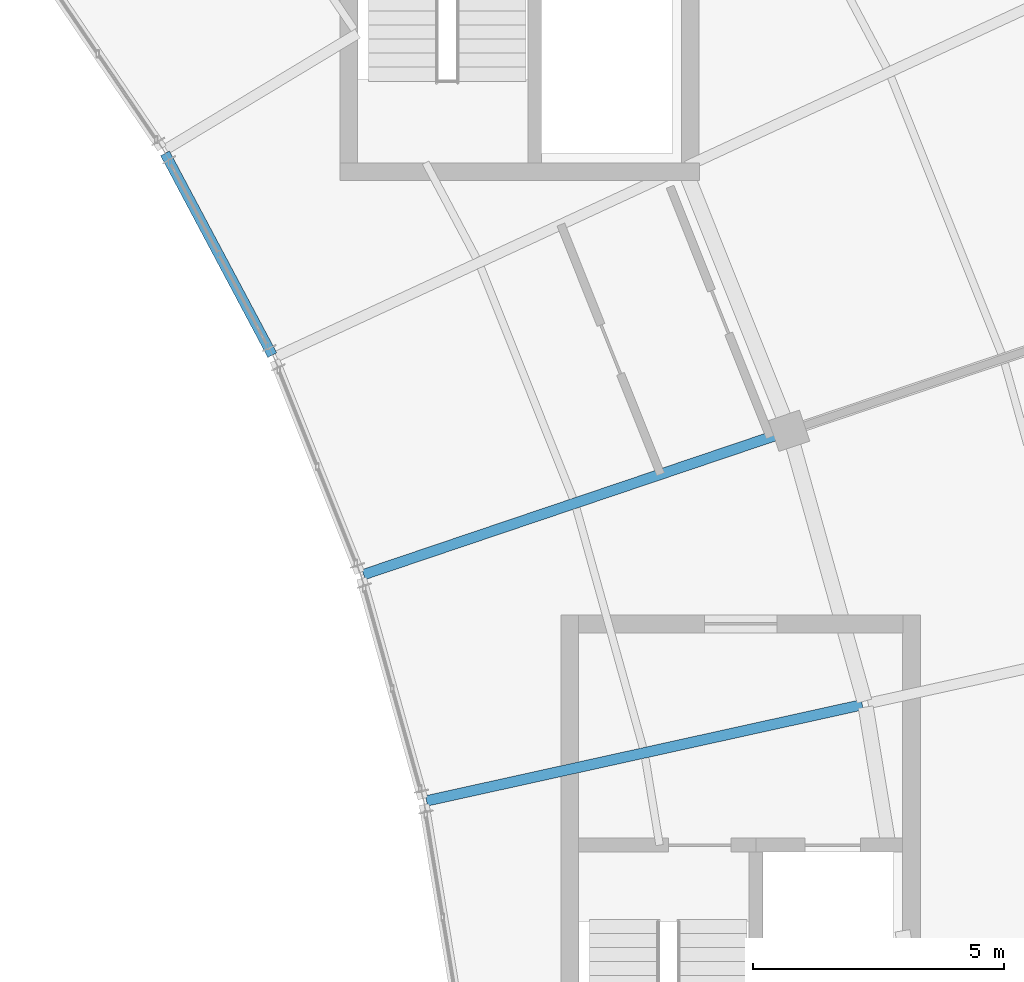
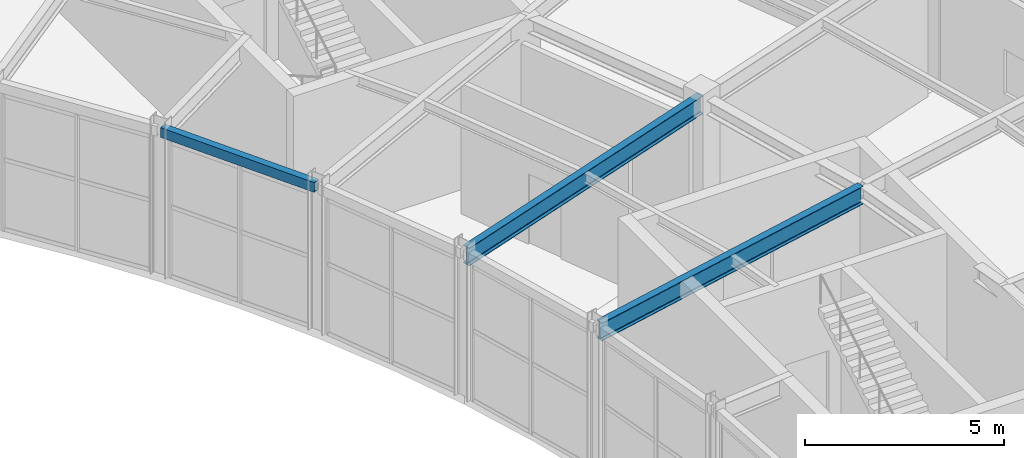
# One storey, part 71 of 108: 3 beams.
"""IFC4 building model written with IfcOpenShell, lengths in metres."""

from ifc_helpers import new_model, si_unit, direction, frame, origin, origin_2d, place, context, subcontext, project, spatial, hollow_rectangle, i_section, extrude, material, material_profile, profile_set, type_object, element, save


model = new_model("IFC4")

# Units and contexts
model_context = context("Model", 3, precision=1e-05, world=origin(), true_north=direction((0.0, 1.0)))
body_context = subcontext(model_context, "Body", "Model", "MODEL_VIEW")
ifc_project = project(units=[si_unit("LENGTHUNIT", "METRE"), si_unit("AREAUNIT", "SQUARE_METRE"), si_unit("VOLUMEUNIT", "CUBIC_METRE"), si_unit("PLANEANGLEUNIT", "RADIAN"), si_unit("MASSUNIT", "GRAM", prefix="KILO")], contexts=[model_context])

# Site, building, storey
site_placement = place(None, origin())
site = spatial("IfcSite", under=ifc_project, at=site_placement, CompositionType="ELEMENT")
building_placement = place(site_placement, origin())
building = spatial("IfcBuilding", under=site, at=building_placement, Name="Tarnveldt Headland Concert Hall", CompositionType="ELEMENT")
storey_placement = place(building_placement, frame((0.0, 0.0, 9.60009765625)))
storey = spatial("IfcBuildingStorey", under=building, at=storey_placement, Name="L02", CompositionType="ELEMENT", Elevation=9.60009765625)

# Beams
ifc_material = material(Name="Steel S355", Category="steel")
ifc_material_profile_1 = material_profile(ifc_material, i_section(OverallWidth=0.2099609375, OverallDepth=0.550048828125, WebThickness=0.010986328125, FlangeThickness=0.01708984375, FilletRadius=0.02392578125, at=origin_2d()), Name="IPE550", Category="steel")
ifc_profile_set_1 = profile_set([ifc_material_profile_1], Name="Steel S355")
beam_type_1 = type_object("IfcBeamType", Name="SB-IPE550", PredefinedType="BEAM", material=ifc_profile_set_1)
beam_1_placement = place(storey_placement, frame((159.54833984375, 69.279052734375, 4.27490234375), z_axis=(0.976505569656, 0.215492163268, 0.0), x_axis=(-0.215492163268, 0.976505569656, 0.0)))
element("IfcBeam", 1, at=beam_1_placement, inside=storey, type_object=beam_type_1, Name="Framing beam L02-1116", PredefinedType="BEAM", context=body_context, shape_type="SweptSolid", body=[
    extrude(i_section(OverallWidth=0.2099609375, OverallDepth=0.550048828125, WebThickness=0.010986328125, FlangeThickness=0.01708984375, FilletRadius=0.02392578125, at=origin_2d()), origin(), (0.0, 0.0, 1.0), 8.880126953125),
])
beam_2_placement = place(storey_placement, frame((158.294921875, 73.781982421875, 4.27490234375), z_axis=(0.947399878297, 0.320052293545, 0.0), x_axis=(-0.320052293545, 0.947399878297, 0.0)))
element("IfcBeam", 2, at=beam_2_placement, inside=storey, type_object=beam_type_1, Name="Framing beam L02-1123", PredefinedType="BEAM", context=body_context, shape_type="SweptSolid", body=[
    extrude(i_section(OverallWidth=0.2099609375, OverallDepth=0.550048828125, WebThickness=0.010986328125, FlangeThickness=0.01708984375, FilletRadius=0.02392578125, at=origin_2d()), origin(), (0.0, 0.0, 1.0), 8.8798828125),
])
ifc_material_profile_2 = material_profile(ifc_material, hollow_rectangle(XDim=0.199951171875, YDim=0.300048828125, WallThickness=0.012451171875, at=origin_2d()), Name="RHS 300x200x12.5", Category="steel")
ifc_profile_set_2 = profile_set([ifc_material_profile_2], Name="Steel S355")
beam_type_2 = type_object("IfcBeamType", Name="SB-RHS300", PredefinedType="SPANDREL", material=ifc_profile_set_2)
beam_3_placement = place(storey_placement, frame((156.478271484375, 78.14990234375, 4.39990234375), z_axis=(-0.469450914916, 0.882958571216, 0.0), x_axis=(-0.882958571216, -0.469450914916, 0.0)))
element("IfcBeam", 3, at=beam_3_placement, inside=storey, type_object=beam_type_2, Name="Framing beam L02-1132", PredefinedType="SPANDREL", context=body_context, shape_type="SweptSolid", body=[
    extrude(hollow_rectangle(XDim=0.199951171875, YDim=0.300048828125, WallThickness=0.012451171875, at=origin_2d()), origin(), (0.0, 0.0, 1.0), 4.54736328125),
])

save(model, "model.ifc")
